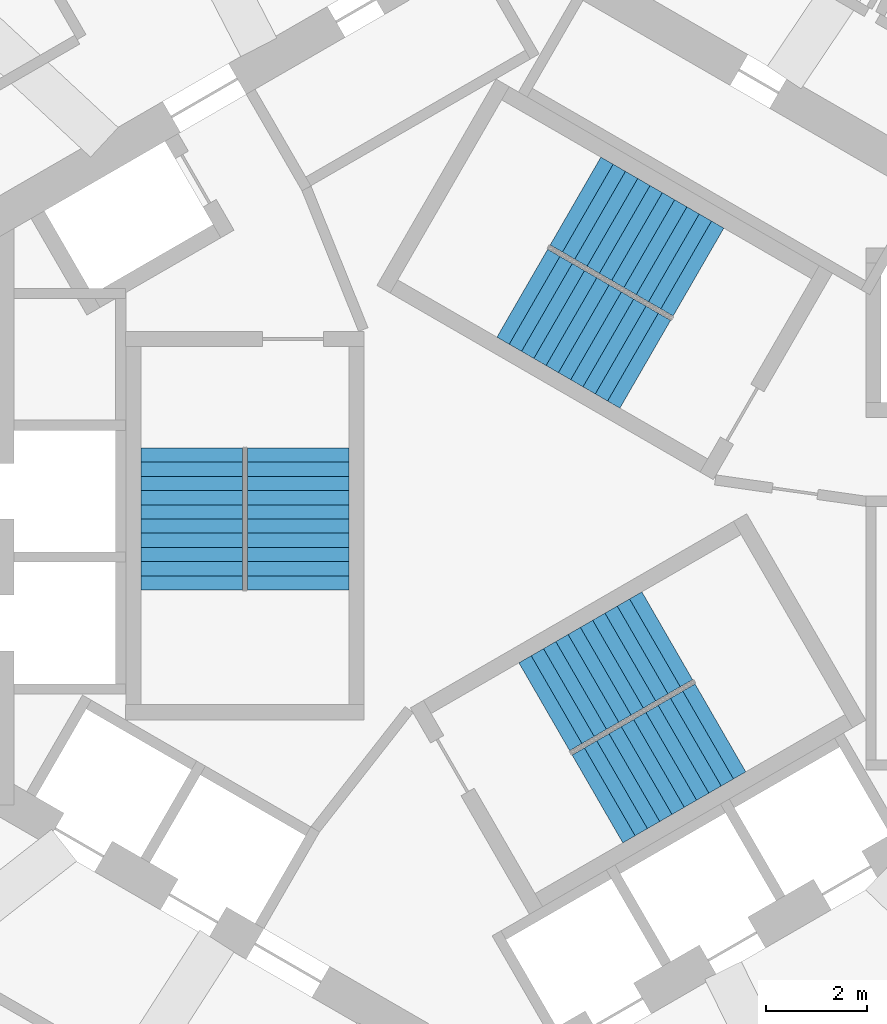
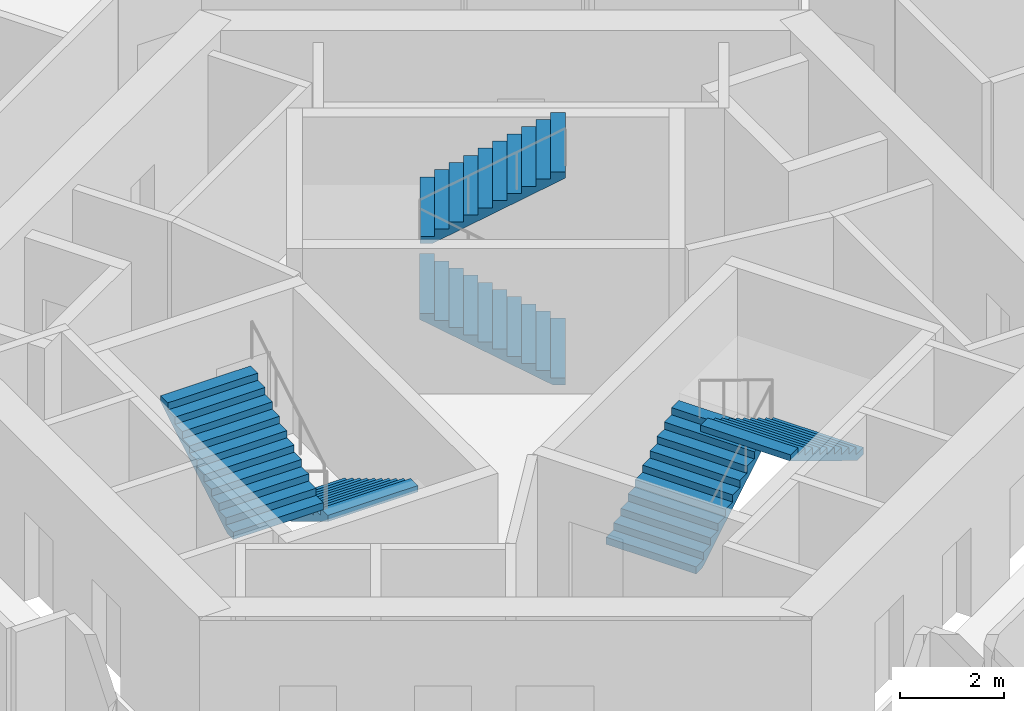
# One storey, part 9 of 11: 6 stair flights, 3 elements without a shape of their own.
"""IFC4 building model written with IfcOpenShell, lengths in metres."""

from ifc_helpers import new_model, si_unit, direction, frame, origin, place, context, subcontext, project, spatial, triangles, source, transform, mapped, material, type_object, element, aggregate, save


model = new_model("IFC4")

# Units and contexts
model_context = context("Model", 3, precision=1e-05, world=origin(), true_north=direction((0.0, 1.0)))
body_context = subcontext(model_context, "Body", "Model", "MODEL_VIEW")
ifc_project = project(units=[si_unit("LENGTHUNIT", "METRE"), si_unit("AREAUNIT", "SQUARE_METRE"), si_unit("VOLUMEUNIT", "CUBIC_METRE"), si_unit("PLANEANGLEUNIT", "RADIAN"), si_unit("MASSUNIT", "GRAM", prefix="KILO")], contexts=[model_context])

# Site, building, storey
site_placement = place(None, origin())
site = spatial("IfcSite", under=ifc_project, at=site_placement, CompositionType="ELEMENT")
building_placement = place(site_placement, origin())
building = spatial("IfcBuilding", under=site, at=building_placement, Name="Vanh Sen Convention Tower", CompositionType="ELEMENT")
storey_placement = place(building_placement, frame((0.0, 0.0, 293.10009765625)))
storey = spatial("IfcBuildingStorey", under=building, at=storey_placement, Name="L72", CompositionType="ELEMENT", Elevation=293.10009765625)

# Stair, stair flights
ifc_material_1 = material(Name="Concrete C50/60", Category="concrete")
stair_type_1 = type_object("IfcStairType", Name="Exit stair ST1 22 risers at 168.2", PredefinedType="HALF_TURN_STAIR", material=ifc_material_1)
stair_1_placement = place(storey_placement, origin())
stair_1 = element("IfcStair", 1, at=stair_1_placement, inside=storey, type_object=stair_type_1, Name="Exit stair ST1 L72", PredefinedType="HALF_TURN_STAIR")
ifc_material_2 = material(Name="Concrete C40/50", Category="concrete")
stair_flight_type = type_object("IfcStairFlightType", Name="Stair flight 2000", PredefinedType="STRAIGHT", material=ifc_material_2)
shared_shape = source(origin(), body_context, "Body", "Tessellation", [
    triangles([(0.24267578125, 1.0, 0.0), (0.0, 1.0, 0.0), (0.0, 1.0, 0.168212890625), (0.280029296875, 1.0, 0.168212890625), (0.280029296875, 1.0, 0.33642578125), (0.56005859375, 1.0, 0.33642578125), (0.56005859375, 1.0, 0.504638671875), (0.840087890625, 1.0, 0.504638671875), (0.840087890625, 1.0, 0.672607421875), (1.1201171875, 1.0, 0.672607421875), (1.1201171875, 1.0, 0.8408203125), (1.39990234375, 1.0, 0.8408203125), (1.39990234375, 1.0, 1.009033203125), (1.679931640625, 1.0, 1.009033203125), (1.679931640625, 1.0, 1.17724609375), (1.9599609375, 1.0, 1.17724609375), (1.9599609375, 1.0, 1.345458984375), (2.239990234375, 1.0, 1.345458984375), (2.239990234375, 1.0, 1.513671875), (2.52001953125, 1.0, 1.513671875), (2.52001953125, 1.0, 1.681884765625), (2.800048828125, 1.0, 1.681884765625), (2.800048828125, 1.0, 1.535888671875), (0.24267578125, -1.0, 0.0), (0.0, -1.0, 0.0), (0.0, -1.0, 0.168212890625), (0.280029296875, -1.0, 0.168212890625), (0.280029296875, -1.0, 0.33642578125), (0.56005859375, -1.0, 0.33642578125), (0.56005859375, -1.0, 0.504638671875), (0.840087890625, -1.0, 0.504638671875), (0.840087890625, -1.0, 0.672607421875), (1.1201171875, -1.0, 0.672607421875), (1.1201171875, -1.0, 0.8408203125), (1.39990234375, -1.0, 0.8408203125), (1.39990234375, -1.0, 1.009033203125), (1.679931640625, -1.0, 1.009033203125), (1.679931640625, -1.0, 1.17724609375), (1.9599609375, -1.0, 1.17724609375), (1.9599609375, -1.0, 1.345458984375), (2.239990234375, -1.0, 1.345458984375), (2.239990234375, -1.0, 1.513671875), (2.52001953125, -1.0, 1.513671875), (2.52001953125, -1.0, 1.681884765625), (2.800048828125, -1.0, 1.681884765625), (2.800048828125, -1.0, 1.535888671875), (0.0, 0.0400390625, 0.0), (0.0, 0.0390625, 0.0), (0.0, 0.0380859375, 0.0), (0.0, 0.037109375, 0.0), (0.0, 0.035888671875, 0.0), (0.0, 0.034912109375, 0.0), (0.0, 0.033935546875, 0.0), (0.0, 0.032958984375, 0.0), (0.0, 0.031982421875, 0.0), (0.0, 0.031005859375, 0.0), (0.0, 0.030029296875, 0.0), (0.0, 0.029052734375, 0.0), (0.0, 0.028076171875, 0.0), (0.0, 0.027099609375, 0.0), (0.0, 0.02587890625, 0.0), (0.0, 0.02490234375, 0.0), (0.0, 0.02392578125, 0.0), (0.0, 0.02294921875, 0.0), (0.0, 0.02197265625, 0.0), (0.0, 0.02099609375, 0.0), (0.0, 0.02001953125, 0.0), (0.0, 0.01904296875, 0.0), (0.0, 0.01806640625, 0.0), (0.0, 0.01708984375, 0.0), (0.0, 0.01611328125, 0.0), (0.0, 0.014892578125, 0.0), (0.0, 0.013916015625, 0.0), (0.0, 0.012939453125, 0.0), (0.0, 0.011962890625, 0.0), (0.0, 0.010986328125, 0.0), (0.0, 0.010009765625, 0.0), (0.0, 0.009033203125, 0.0), (0.0, 0.008056640625, 0.0), (0.0, 0.007080078125, 0.0), (0.0, 0.006103515625, 0.0), (0.0, 0.0048828125, 0.0), (0.0, 0.00390625, 0.0), (0.0, 0.0029296875, 0.0), (0.0, 0.001953125, 0.0), (0.0, 0.0009765625, 0.0), (0.0, 0.0, 0.0), (0.0, -0.0009765625, 0.0), (0.0, -0.001953125, 0.0), (0.0, -0.0029296875, 0.0), (0.0, -0.00390625, 0.0), (0.0, -0.0048828125, 0.0), (0.0, -0.006103515625, 0.0), (0.0, -0.007080078125, 0.0), (0.0, -0.008056640625, 0.0), (0.0, -0.009033203125, 0.0), (0.0, -0.010009765625, 0.0), (0.0, -0.010986328125, 0.0), (0.0, -0.011962890625, 0.0), (0.0, -0.012939453125, 0.0), (0.0, -0.013916015625, 0.0), (0.0, -0.014892578125, 0.0), (0.0, -0.01611328125, 0.0), (0.0, -0.01708984375, 0.0), (0.0, -0.01806640625, 0.0), (0.0, -0.01904296875, 0.0), (0.0, -0.02001953125, 0.0), (0.0, -0.02099609375, 0.0), (0.0, -0.02197265625, 0.0), (0.0, -0.02294921875, 0.0), (0.0, -0.02392578125, 0.0), (0.0, -0.02490234375, 0.0), (0.0, -0.02587890625, 0.0), (0.0, -0.027099609375, 0.0), (0.0, -0.028076171875, 0.0), (0.0, -0.029052734375, 0.0), (0.0, -0.030029296875, 0.0), (0.0, -0.031005859375, 0.0), (0.0, -0.031982421875, 0.0), (0.0, -0.032958984375, 0.0), (0.0, -0.033935546875, 0.0), (0.0, -0.034912109375, 0.0), (0.0, -0.035888671875, 0.0), (0.0, -0.037109375, 0.0), (0.0, -0.0380859375, 0.0), (0.0, -0.0390625, 0.0), (0.0, -0.0400390625, 0.0), (0.0, 0.0400390625, 0.168212890625), (0.0, 0.0390625, 0.168212890625), (0.0, 0.0380859375, 0.168212890625), (0.0, 0.037109375, 0.168212890625), (0.0, 0.035888671875, 0.168212890625), (0.0, 0.034912109375, 0.168212890625), (0.0, 0.033935546875, 0.168212890625), (0.0, 0.032958984375, 0.168212890625), (0.0, 0.031982421875, 0.168212890625), (0.0, 0.031005859375, 0.168212890625), (0.0, 0.030029296875, 0.168212890625), (0.0, 0.029052734375, 0.168212890625), (0.0, 0.028076171875, 0.168212890625), (0.0, 0.027099609375, 0.168212890625), (0.0, 0.02587890625, 0.168212890625), (0.0, 0.02490234375, 0.168212890625), (0.0, 0.02392578125, 0.168212890625), (0.0, 0.02294921875, 0.168212890625), (0.0, 0.02197265625, 0.168212890625), (0.0, 0.02099609375, 0.168212890625), (0.0, 0.02001953125, 0.168212890625), (0.0, 0.01904296875, 0.168212890625), (0.0, 0.01806640625, 0.168212890625), (0.0, 0.01708984375, 0.168212890625), (0.0, 0.01611328125, 0.168212890625), (0.0, 0.014892578125, 0.168212890625), (0.0, 0.013916015625, 0.168212890625), (0.0, 0.012939453125, 0.168212890625), (0.0, 0.011962890625, 0.168212890625), (0.0, 0.010986328125, 0.168212890625), (0.0, 0.010009765625, 0.168212890625), (0.0, 0.009033203125, 0.168212890625), (0.0, 0.008056640625, 0.168212890625), (0.0, 0.007080078125, 0.168212890625), (0.0, 0.006103515625, 0.168212890625), (0.0, 0.0048828125, 0.168212890625), (0.0, 0.00390625, 0.168212890625), (0.0, 0.0029296875, 0.168212890625), (0.0, 0.001953125, 0.168212890625), (0.0, 0.0009765625, 0.168212890625), (0.0, 0.0, 0.168212890625), (0.0, -0.0009765625, 0.168212890625), (0.0, -0.001953125, 0.168212890625), (0.0, -0.0029296875, 0.168212890625), (0.0, -0.00390625, 0.168212890625), (0.0, -0.0048828125, 0.168212890625), (0.0, -0.006103515625, 0.168212890625), (0.0, -0.007080078125, 0.168212890625), (0.0, -0.008056640625, 0.168212890625), (0.0, -0.009033203125, 0.168212890625), (0.0, -0.010009765625, 0.168212890625), (0.0, -0.010986328125, 0.168212890625), (0.0, -0.011962890625, 0.168212890625), (0.0, -0.012939453125, 0.168212890625), (0.0, -0.013916015625, 0.168212890625), (0.0, -0.014892578125, 0.168212890625), (0.0, -0.01611328125, 0.168212890625), (0.0, -0.01708984375, 0.168212890625), (0.0, -0.01806640625, 0.168212890625), (0.0, -0.01904296875, 0.168212890625), (0.0, -0.02001953125, 0.168212890625), (0.0, -0.02099609375, 0.168212890625), (0.0, -0.02197265625, 0.168212890625), (0.0, -0.02294921875, 0.168212890625), (0.0, -0.02392578125, 0.168212890625), (0.0, -0.02490234375, 0.168212890625), (0.0, -0.02587890625, 0.168212890625), (0.0, -0.027099609375, 0.168212890625), (0.0, -0.028076171875, 0.168212890625), (0.0, -0.029052734375, 0.168212890625), (0.0, -0.030029296875, 0.168212890625), (0.0, -0.031005859375, 0.168212890625), (0.0, -0.031982421875, 0.168212890625), (0.0, -0.032958984375, 0.168212890625), (0.0, -0.033935546875, 0.168212890625), (0.0, -0.034912109375, 0.168212890625), (0.0, -0.035888671875, 0.168212890625), (0.0, -0.037109375, 0.168212890625), (0.0, -0.0380859375, 0.168212890625), (0.0, -0.0390625, 0.168212890625), (0.0, -0.0400390625, 0.168212890625), (0.280029296875, 0.0, 0.168212890625), (0.280029296875, 0.0, 0.33642578125), (0.56005859375, 0.0, 0.33642578125), (0.56005859375, 0.0, 0.504638671875), (0.840087890625, 0.0, 0.504638671875), (0.840087890625, 0.0, 0.672607421875), (1.1201171875, 0.0, 0.672607421875), (1.1201171875, 0.0, 0.8408203125), (1.39990234375, 0.0, 0.8408203125), (1.39990234375, 0.0, 1.009033203125), (1.679931640625, 0.0, 1.009033203125), (1.679931640625, 0.0, 1.17724609375), (1.9599609375, 0.0, 1.17724609375), (1.9599609375, 0.0, 1.345458984375), (2.239990234375, 0.0, 1.345458984375), (2.239990234375, 0.0, 1.513671875), (2.52001953125, 0.0, 1.513671875), (2.52001953125, 0.0, 1.681884765625), (2.800048828125, 0.0400390625, 1.681884765625), (2.800048828125, 0.0390625, 1.681884765625), (2.800048828125, 0.0380859375, 1.681884765625), (2.800048828125, 0.037109375, 1.681884765625), (2.800048828125, 0.035888671875, 1.681884765625), (2.800048828125, 0.034912109375, 1.681884765625), (2.800048828125, 0.033935546875, 1.681884765625), (2.800048828125, 0.032958984375, 1.681884765625), (2.800048828125, 0.031982421875, 1.681884765625), (2.800048828125, 0.031005859375, 1.681884765625), (2.800048828125, 0.030029296875, 1.681884765625), (2.800048828125, 0.029052734375, 1.681884765625), (2.800048828125, 0.028076171875, 1.681884765625), (2.800048828125, 0.027099609375, 1.681884765625), (2.800048828125, 0.02587890625, 1.681884765625), (2.800048828125, 0.02490234375, 1.681884765625), (2.800048828125, 0.02392578125, 1.681884765625), (2.800048828125, 0.02294921875, 1.681884765625), (2.800048828125, 0.02197265625, 1.681884765625), (2.800048828125, 0.02099609375, 1.681884765625), (2.800048828125, 0.02001953125, 1.681884765625), (2.800048828125, 0.01904296875, 1.681884765625), (2.800048828125, 0.01806640625, 1.681884765625), (2.800048828125, 0.01708984375, 1.681884765625), (2.800048828125, 0.01611328125, 1.681884765625), (2.800048828125, 0.014892578125, 1.681884765625), (2.800048828125, 0.013916015625, 1.681884765625), (2.800048828125, 0.012939453125, 1.681884765625), (2.800048828125, 0.011962890625, 1.681884765625), (2.800048828125, 0.010986328125, 1.681884765625), (2.800048828125, 0.010009765625, 1.681884765625), (2.800048828125, 0.009033203125, 1.681884765625), (2.800048828125, 0.008056640625, 1.681884765625), (2.800048828125, 0.007080078125, 1.681884765625), (2.800048828125, 0.006103515625, 1.681884765625), (2.800048828125, 0.0048828125, 1.681884765625), (2.800048828125, 0.00390625, 1.681884765625), (2.800048828125, 0.0029296875, 1.681884765625), (2.800048828125, 0.001953125, 1.681884765625), (2.800048828125, 0.0009765625, 1.681884765625), (2.800048828125, 0.0, 1.681884765625), (2.800048828125, -0.0009765625, 1.681884765625), (2.800048828125, -0.001953125, 1.681884765625), (2.800048828125, -0.0029296875, 1.681884765625), (2.800048828125, -0.00390625, 1.681884765625), (2.800048828125, -0.0048828125, 1.681884765625), (2.800048828125, -0.006103515625, 1.681884765625), (2.800048828125, -0.007080078125, 1.681884765625), (2.800048828125, -0.008056640625, 1.681884765625), (2.800048828125, -0.009033203125, 1.681884765625), (2.800048828125, -0.010009765625, 1.681884765625), (2.800048828125, -0.010986328125, 1.681884765625), (2.800048828125, -0.011962890625, 1.681884765625), (2.800048828125, -0.012939453125, 1.681884765625), (2.800048828125, -0.013916015625, 1.681884765625), (2.800048828125, -0.014892578125, 1.681884765625), (2.800048828125, -0.01611328125, 1.681884765625), (2.800048828125, -0.01708984375, 1.681884765625), (2.800048828125, -0.01806640625, 1.681884765625), (2.800048828125, -0.01904296875, 1.681884765625), (2.800048828125, -0.02001953125, 1.681884765625), (2.800048828125, -0.02099609375, 1.681884765625), (2.800048828125, -0.02197265625, 1.681884765625), (2.800048828125, -0.02294921875, 1.681884765625), (2.800048828125, -0.02392578125, 1.681884765625), (2.800048828125, -0.02490234375, 1.681884765625), (2.800048828125, -0.02587890625, 1.681884765625), (2.800048828125, -0.027099609375, 1.681884765625), (2.800048828125, -0.028076171875, 1.681884765625), (2.800048828125, -0.029052734375, 1.681884765625), (2.800048828125, -0.030029296875, 1.681884765625), (2.800048828125, -0.031005859375, 1.681884765625), (2.800048828125, -0.031982421875, 1.681884765625), (2.800048828125, -0.032958984375, 1.681884765625), (2.800048828125, -0.033935546875, 1.681884765625), (2.800048828125, -0.034912109375, 1.681884765625), (2.800048828125, -0.035888671875, 1.681884765625), (2.800048828125, -0.037109375, 1.681884765625), (2.800048828125, -0.0380859375, 1.681884765625), (2.800048828125, -0.0390625, 1.681884765625), (2.800048828125, -0.0400390625, 1.681884765625), (2.800048828125, 0.0400390625, 1.535888671875), (2.800048828125, 0.0390625, 1.535888671875), (2.800048828125, 0.0380859375, 1.535888671875), (2.800048828125, 0.037109375, 1.535888671875), (2.800048828125, 0.035888671875, 1.535888671875), (2.800048828125, 0.034912109375, 1.535888671875), (2.800048828125, 0.033935546875, 1.535888671875), (2.800048828125, 0.032958984375, 1.535888671875), (2.800048828125, 0.031982421875, 1.535888671875), (2.800048828125, 0.031005859375, 1.535888671875), (2.800048828125, 0.030029296875, 1.535888671875), (2.800048828125, 0.029052734375, 1.535888671875), (2.800048828125, 0.028076171875, 1.535888671875), (2.800048828125, 0.027099609375, 1.535888671875), (2.800048828125, 0.02587890625, 1.535888671875), (2.800048828125, 0.02490234375, 1.535888671875), (2.800048828125, 0.02392578125, 1.535888671875), (2.800048828125, 0.02294921875, 1.535888671875), (2.800048828125, 0.02197265625, 1.535888671875), (2.800048828125, 0.02099609375, 1.535888671875), (2.800048828125, 0.02001953125, 1.535888671875), (2.800048828125, 0.01904296875, 1.535888671875), (2.800048828125, 0.01806640625, 1.535888671875), (2.800048828125, 0.01708984375, 1.535888671875), (2.800048828125, 0.01611328125, 1.535888671875), (2.800048828125, 0.014892578125, 1.535888671875), (2.800048828125, 0.013916015625, 1.535888671875), (2.800048828125, 0.012939453125, 1.535888671875), (2.800048828125, 0.011962890625, 1.535888671875), (2.800048828125, 0.010986328125, 1.535888671875), (2.800048828125, 0.010009765625, 1.535888671875), (2.800048828125, 0.009033203125, 1.535888671875), (2.800048828125, 0.008056640625, 1.535888671875), (2.800048828125, 0.007080078125, 1.535888671875), (2.800048828125, 0.006103515625, 1.535888671875), (2.800048828125, 0.0048828125, 1.535888671875), (2.800048828125, 0.00390625, 1.535888671875), (2.800048828125, 0.0029296875, 1.535888671875), (2.800048828125, 0.001953125, 1.535888671875), (2.800048828125, 0.0009765625, 1.535888671875), (2.800048828125, 0.0, 1.535888671875), (2.800048828125, -0.0009765625, 1.535888671875), (2.800048828125, -0.001953125, 1.535888671875), (2.800048828125, -0.0029296875, 1.535888671875), (2.800048828125, -0.00390625, 1.535888671875), (2.800048828125, -0.0048828125, 1.535888671875), (2.800048828125, -0.006103515625, 1.535888671875), (2.800048828125, -0.007080078125, 1.535888671875), (2.800048828125, -0.008056640625, 1.535888671875), (2.800048828125, -0.009033203125, 1.535888671875), (2.800048828125, -0.010009765625, 1.535888671875), (2.800048828125, -0.010986328125, 1.535888671875), (2.800048828125, -0.011962890625, 1.535888671875), (2.800048828125, -0.012939453125, 1.535888671875), (2.800048828125, -0.013916015625, 1.535888671875), (2.800048828125, -0.014892578125, 1.535888671875), (2.800048828125, -0.01611328125, 1.535888671875), (2.800048828125, -0.01708984375, 1.535888671875), (2.800048828125, -0.01806640625, 1.535888671875), (2.800048828125, -0.01904296875, 1.535888671875), (2.800048828125, -0.02001953125, 1.535888671875), (2.800048828125, -0.02099609375, 1.535888671875), (2.800048828125, -0.02197265625, 1.535888671875), (2.800048828125, -0.02294921875, 1.535888671875), (2.800048828125, -0.02392578125, 1.535888671875), (2.800048828125, -0.02490234375, 1.535888671875), (2.800048828125, -0.02587890625, 1.535888671875), (2.800048828125, -0.027099609375, 1.535888671875), (2.800048828125, -0.028076171875, 1.535888671875), (2.800048828125, -0.029052734375, 1.535888671875), (2.800048828125, -0.030029296875, 1.535888671875), (2.800048828125, -0.031005859375, 1.535888671875), (2.800048828125, -0.031982421875, 1.535888671875), (2.800048828125, -0.032958984375, 1.535888671875), (2.800048828125, -0.033935546875, 1.535888671875), (2.800048828125, -0.034912109375, 1.535888671875), (2.800048828125, -0.035888671875, 1.535888671875), (2.800048828125, -0.037109375, 1.535888671875), (2.800048828125, -0.0380859375, 1.535888671875), (2.800048828125, -0.0390625, 1.535888671875), (2.800048828125, -0.0400390625, 1.535888671875), (0.24267578125, 0.0, 0.0)], [[1, 2, 3], [1, 3, 4], [4, 5, 6], [1, 4, 6], [6, 7, 8], [1, 6, 8], [8, 9, 10], [1, 8, 10], [10, 11, 12], [1, 10, 12], [12, 13, 14], [1, 12, 14], [14, 15, 16], [1, 14, 16], [16, 17, 18], [1, 16, 18], [18, 19, 20], [1, 18, 20], [20, 21, 22], [1, 20, 22], [22, 23, 1], [24, 26, 25], [24, 27, 26], [27, 29, 28], [24, 29, 27], [29, 31, 30], [24, 31, 29], [31, 33, 32], [24, 33, 31], [33, 35, 34], [24, 35, 33], [35, 37, 36], [24, 37, 35], [37, 39, 38], [24, 39, 37], [39, 41, 40], [24, 41, 39], [41, 43, 42], [24, 43, 41], [43, 45, 44], [24, 45, 43], [45, 24, 46], [2, 128, 3], [2, 47, 128], [47, 129, 128], [47, 48, 129], [48, 130, 129], [48, 49, 130], [49, 131, 130], [49, 50, 131], [50, 132, 131], [50, 51, 132], [51, 133, 132], [51, 52, 133], [52, 134, 133], [52, 53, 134], [53, 135, 134], [53, 54, 135], [54, 136, 135], [54, 55, 136], [55, 137, 136], [55, 56, 137], [56, 138, 137], [56, 57, 138], [57, 139, 138], [57, 58, 139], [58, 140, 139], [58, 59, 140], [59, 141, 140], [59, 60, 141], [60, 142, 141], [60, 61, 142], [61, 143, 142], [61, 62, 143], [62, 144, 143], [62, 63, 144], [63, 145, 144], [63, 64, 145], [64, 146, 145], [64, 65, 146], [65, 147, 146], [65, 66, 147], [66, 148, 147], [66, 67, 148], [67, 149, 148], [67, 68, 149], [68, 150, 149], [68, 69, 150], [69, 151, 150], [69, 70, 151], [70, 152, 151], [70, 71, 152], [71, 153, 152], [71, 72, 153], [72, 154, 153], [72, 73, 154], [73, 155, 154], [73, 74, 155], [74, 156, 155], [74, 75, 156], [75, 157, 156], [75, 76, 157], [76, 158, 157], [76, 77, 158], [77, 159, 158], [77, 78, 159], [78, 160, 159], [78, 79, 160], [79, 161, 160], [79, 80, 161], [80, 162, 161], [80, 81, 162], [81, 163, 162], [81, 82, 163], [82, 164, 163], [82, 83, 164], [83, 165, 164], [83, 84, 165], [84, 166, 165], [84, 85, 166], [85, 167, 166], [85, 86, 167], [86, 168, 167], [86, 87, 168], [87, 88, 168], [168, 88, 169], [88, 89, 169], [169, 89, 170], [89, 90, 170], [170, 90, 171], [90, 91, 171], [171, 91, 172], [91, 92, 172], [172, 92, 173], [92, 93, 173], [173, 93, 174], [93, 94, 174], [174, 94, 175], [94, 95, 175], [175, 95, 176], [95, 96, 176], [176, 96, 177], [96, 97, 177], [177, 97, 178], [97, 98, 178], [178, 98, 179], [98, 99, 179], [179, 99, 180], [99, 100, 180], [180, 100, 181], [100, 101, 181], [181, 101, 182], [101, 102, 182], [182, 102, 183], [102, 103, 183], [183, 103, 184], [103, 104, 184], [184, 104, 185], [104, 105, 185], [185, 105, 186], [105, 106, 186], [186, 106, 187], [106, 107, 187], [187, 107, 188], [107, 108, 188], [188, 108, 189], [108, 109, 189], [189, 109, 190], [109, 110, 190], [190, 110, 191], [110, 111, 191], [191, 111, 192], [111, 112, 192], [192, 112, 193], [112, 113, 193], [193, 113, 194], [113, 114, 194], [194, 114, 195], [114, 115, 195], [195, 115, 196], [115, 116, 196], [196, 116, 197], [116, 117, 197], [197, 117, 198], [117, 118, 198], [198, 118, 199], [118, 119, 199], [199, 119, 200], [119, 120, 200], [200, 120, 201], [120, 121, 201], [201, 121, 202], [121, 122, 202], [202, 122, 203], [122, 123, 203], [203, 123, 204], [123, 124, 204], [204, 124, 205], [124, 125, 205], [205, 125, 206], [125, 126, 206], [206, 126, 207], [126, 127, 207], [207, 127, 208], [127, 25, 208], [208, 25, 26], [4, 3, 128], [4, 128, 129], [4, 129, 130], [4, 130, 131], [4, 131, 132], [4, 132, 133], [4, 133, 134], [4, 134, 135], [4, 135, 136], [4, 136, 137], [4, 137, 138], [4, 138, 139], [4, 139, 140], [4, 140, 141], [4, 141, 142], [4, 142, 143], [4, 143, 144], [4, 144, 145], [4, 145, 146], [4, 146, 147], [4, 147, 148], [4, 148, 149], [4, 149, 150], [4, 150, 151], [4, 151, 152], [4, 152, 153], [4, 153, 154], [4, 154, 155], [4, 155, 156], [4, 156, 157], [4, 157, 158], [4, 158, 159], [4, 159, 160], [4, 160, 161], [4, 161, 162], [4, 162, 163], [4, 163, 164], [4, 164, 165], [4, 165, 166], [4, 166, 167], [4, 167, 168], [27, 168, 169], [27, 169, 170], [27, 170, 171], [27, 171, 172], [27, 172, 173], [27, 173, 174], [27, 174, 175], [27, 175, 176], [27, 176, 177], [27, 177, 178], [27, 178, 179], [27, 179, 180], [27, 180, 181], [27, 181, 182], [27, 182, 183], [27, 183, 184], [27, 184, 185], [27, 185, 186], [27, 186, 187], [27, 187, 188], [27, 188, 189], [27, 189, 190], [27, 190, 191], [27, 191, 192], [27, 192, 193], [27, 193, 194], [27, 194, 195], [27, 195, 196], [27, 196, 197], [27, 197, 198], [27, 198, 199], [27, 199, 200], [27, 200, 201], [27, 201, 202], [27, 202, 203], [27, 203, 204], [27, 204, 205], [27, 205, 206], [27, 206, 207], [27, 207, 208], [27, 208, 26], [4, 168, 209], [27, 209, 168], [4, 210, 5], [4, 209, 210], [209, 27, 210], [210, 27, 28], [5, 211, 6], [5, 210, 211], [210, 28, 211], [211, 28, 29], [6, 212, 7], [6, 211, 212], [211, 29, 212], [212, 29, 30], [7, 213, 8], [7, 212, 213], [212, 30, 213], [213, 30, 31], [8, 214, 9], [8, 213, 214], [213, 31, 214], [214, 31, 32], [9, 215, 10], [9, 214, 215], [214, 32, 215], [215, 32, 33], [10, 216, 11], [10, 215, 216], [215, 33, 216], [216, 33, 34], [11, 217, 12], [11, 216, 217], [216, 34, 217], [217, 34, 35], [12, 218, 13], [12, 217, 218], [217, 35, 218], [218, 35, 36], [13, 219, 14], [13, 218, 219], [218, 36, 219], [219, 36, 37], [14, 220, 15], [14, 219, 220], [219, 37, 220], [220, 37, 38], [15, 221, 16], [15, 220, 221], [220, 38, 221], [221, 38, 39], [16, 222, 17], [16, 221, 222], [221, 39, 222], [222, 39, 40], [17, 223, 18], [17, 222, 223], [222, 40, 223], [223, 40, 41], [18, 224, 19], [18, 223, 224], [223, 41, 224], [224, 41, 42], [19, 225, 20], [19, 224, 225], [224, 42, 225], [225, 42, 43], [20, 226, 21], [20, 225, 226], [225, 43, 226], [226, 43, 44], [21, 227, 22], [21, 228, 227], [21, 229, 228], [21, 230, 229], [21, 231, 230], [21, 232, 231], [21, 233, 232], [21, 234, 233], [21, 235, 234], [21, 236, 235], [21, 237, 236], [21, 238, 237], [21, 239, 238], [21, 240, 239], [21, 241, 240], [21, 242, 241], [21, 243, 242], [21, 244, 243], [21, 245, 244], [21, 246, 245], [21, 247, 246], [21, 248, 247], [21, 249, 248], [21, 250, 249], [21, 251, 250], [21, 252, 251], [21, 253, 252], [21, 254, 253], [21, 255, 254], [21, 256, 255], [21, 257, 256], [21, 258, 257], [21, 259, 258], [21, 260, 259], [21, 261, 260], [21, 262, 261], [21, 263, 262], [21, 264, 263], [21, 265, 264], [21, 266, 265], [21, 267, 266], [44, 268, 267], [44, 269, 268], [44, 270, 269], [44, 271, 270], [44, 272, 271], [44, 273, 272], [44, 274, 273], [44, 275, 274], [44, 276, 275], [44, 277, 276], [44, 278, 277], [44, 279, 278], [44, 280, 279], [44, 281, 280], [44, 282, 281], [44, 283, 282], [44, 284, 283], [44, 285, 284], [44, 286, 285], [44, 287, 286], [44, 288, 287], [44, 289, 288], [44, 290, 289], [44, 291, 290], [44, 292, 291], [44, 293, 292], [44, 294, 293], [44, 295, 294], [44, 296, 295], [44, 297, 296], [44, 298, 297], [44, 299, 298], [44, 300, 299], [44, 301, 300], [44, 302, 301], [44, 303, 302], [44, 304, 303], [44, 305, 304], [44, 306, 305], [44, 307, 306], [44, 45, 307], [21, 226, 267], [44, 267, 226], [22, 308, 23], [22, 227, 308], [227, 309, 308], [227, 228, 309], [228, 310, 309], [228, 229, 310], [229, 311, 310], [229, 230, 311], [230, 312, 311], [230, 231, 312], [231, 313, 312], [231, 232, 313], [232, 314, 313], [232, 233, 314], [233, 315, 314], [233, 234, 315], [234, 316, 315], [234, 235, 316], [235, 317, 316], [235, 236, 317], [236, 318, 317], [236, 237, 318], [237, 319, 318], [237, 238, 319], [238, 320, 319], [238, 239, 320], [239, 321, 320], [239, 240, 321], [240, 322, 321], [240, 241, 322], [241, 323, 322], [241, 242, 323], [242, 324, 323], [242, 243, 324], [243, 325, 324], [243, 244, 325], [244, 326, 325], [244, 245, 326], [245, 327, 326], [245, 246, 327], [246, 328, 327], [246, 247, 328], [247, 329, 328], [247, 248, 329], [248, 330, 329], [248, 249, 330], [249, 331, 330], [249, 250, 331], [250, 332, 331], [250, 251, 332], [251, 333, 332], [251, 252, 333], [252, 334, 333], [252, 253, 334], [253, 335, 334], [253, 254, 335], [254, 336, 335], [254, 255, 336], [255, 337, 336], [255, 256, 337], [256, 338, 337], [256, 257, 338], [257, 339, 338], [257, 258, 339], [258, 340, 339], [258, 259, 340], [259, 341, 340], [259, 260, 341], [260, 342, 341], [260, 261, 342], [261, 343, 342], [261, 262, 343], [262, 344, 343], [262, 263, 344], [263, 345, 344], [263, 264, 345], [264, 346, 345], [264, 265, 346], [265, 347, 346], [265, 266, 347], [266, 348, 347], [266, 267, 348], [267, 268, 348], [348, 268, 349], [268, 269, 349], [349, 269, 350], [269, 270, 350], [350, 270, 351], [270, 271, 351], [351, 271, 352], [271, 272, 352], [352, 272, 353], [272, 273, 353], [353, 273, 354], [273, 274, 354], [354, 274, 355], [274, 275, 355], [355, 275, 356], [275, 276, 356], [356, 276, 357], [276, 277, 357], [357, 277, 358], [277, 278, 358], [358, 278, 359], [278, 279, 359], [359, 279, 360], [279, 280, 360], [360, 280, 361], [280, 281, 361], [361, 281, 362], [281, 282, 362], [362, 282, 363], [282, 283, 363], [363, 283, 364], [283, 284, 364], [364, 284, 365], [284, 285, 365], [365, 285, 366], [285, 286, 366], [366, 286, 367], [286, 287, 367], [367, 287, 368], [287, 288, 368], [368, 288, 369], [288, 289, 369], [369, 289, 370], [289, 290, 370], [370, 290, 371], [290, 291, 371], [371, 291, 372], [291, 292, 372], [372, 292, 373], [292, 293, 373], [373, 293, 374], [293, 294, 374], [374, 294, 375], [294, 295, 375], [375, 295, 376], [295, 296, 376], [376, 296, 377], [296, 297, 377], [377, 297, 378], [297, 298, 378], [378, 298, 379], [298, 299, 379], [379, 299, 380], [299, 300, 380], [380, 300, 381], [300, 301, 381], [381, 301, 382], [301, 302, 382], [382, 302, 383], [302, 303, 383], [383, 303, 384], [303, 304, 384], [384, 304, 385], [304, 305, 385], [385, 305, 386], [305, 306, 386], [386, 306, 387], [306, 307, 387], [387, 307, 388], [307, 45, 388], [388, 45, 46], [1, 23, 308], [1, 308, 309], [1, 309, 310], [1, 310, 311], [1, 311, 312], [1, 312, 313], [1, 313, 314], [1, 314, 315], [1, 315, 316], [1, 316, 317], [1, 317, 318], [1, 318, 319], [1, 319, 320], [1, 320, 321], [1, 321, 322], [1, 322, 323], [1, 323, 324], [1, 324, 325], [1, 325, 326], [1, 326, 327], [1, 327, 328], [1, 328, 329], [1, 329, 330], [1, 330, 331], [1, 331, 332], [1, 332, 333], [1, 333, 334], [1, 334, 335], [1, 335, 336], [1, 336, 337], [1, 337, 338], [1, 338, 339], [1, 339, 340], [1, 340, 341], [1, 341, 342], [1, 342, 343], [1, 343, 344], [1, 344, 345], [1, 345, 346], [1, 346, 347], [1, 347, 348], [24, 348, 349], [24, 349, 350], [24, 350, 351], [24, 351, 352], [24, 352, 353], [24, 353, 354], [24, 354, 355], [24, 355, 356], [24, 356, 357], [24, 357, 358], [24, 358, 359], [24, 359, 360], [24, 360, 361], [24, 361, 362], [24, 362, 363], [24, 363, 364], [24, 364, 365], [24, 365, 366], [24, 366, 367], [24, 367, 368], [24, 368, 369], [24, 369, 370], [24, 370, 371], [24, 371, 372], [24, 372, 373], [24, 373, 374], [24, 374, 375], [24, 375, 376], [24, 376, 377], [24, 377, 378], [24, 378, 379], [24, 379, 380], [24, 380, 381], [24, 381, 382], [24, 382, 383], [24, 383, 384], [24, 384, 385], [24, 385, 386], [24, 386, 387], [24, 387, 388], [24, 388, 46], [1, 348, 389], [24, 389, 348], [1, 47, 2], [1, 48, 47], [1, 49, 48], [1, 50, 49], [1, 51, 50], [1, 52, 51], [1, 53, 52], [1, 54, 53], [1, 55, 54], [1, 56, 55], [1, 57, 56], [1, 58, 57], [1, 59, 58], [1, 60, 59], [1, 61, 60], [1, 62, 61], [1, 63, 62], [1, 64, 63], [1, 65, 64], [1, 66, 65], [1, 67, 66], [1, 68, 67], [1, 69, 68], [1, 70, 69], [1, 71, 70], [1, 72, 71], [1, 73, 72], [1, 74, 73], [1, 75, 74], [1, 76, 75], [1, 77, 76], [1, 78, 77], [1, 79, 78], [1, 80, 79], [1, 81, 80], [1, 82, 81], [1, 83, 82], [1, 84, 83], [1, 85, 84], [1, 86, 85], [1, 87, 86], [24, 88, 87], [24, 89, 88], [24, 90, 89], [24, 91, 90], [24, 92, 91], [24, 93, 92], [24, 94, 93], [24, 95, 94], [24, 96, 95], [24, 97, 96], [24, 98, 97], [24, 99, 98], [24, 100, 99], [24, 101, 100], [24, 102, 101], [24, 103, 102], [24, 104, 103], [24, 105, 104], [24, 106, 105], [24, 107, 106], [24, 108, 107], [24, 109, 108], [24, 110, 109], [24, 111, 110], [24, 112, 111], [24, 113, 112], [24, 114, 113], [24, 115, 114], [24, 116, 115], [24, 117, 116], [24, 118, 117], [24, 119, 118], [24, 120, 119], [24, 121, 120], [24, 122, 121], [24, 123, 122], [24, 124, 123], [24, 125, 124], [24, 126, 125], [24, 127, 126], [24, 25, 127], [1, 389, 87], [24, 87, 389]], closed=True),
])
stair_flight_1_placement = place(storey_placement, frame((2.94580078125, 2.802490234375, 0.0), z_axis=(0.0, 0.0, 1.0), x_axis=(-0.866025403784, 0.5, 0.0)))
stair_flight_1 = element("IfcStairFlight", 2, at=stair_flight_1_placement, type_object=stair_flight_type, Name="ST1 flight 1", NumberOfRisers=11, NumberOfTreads=10, PredefinedType="STRAIGHT", RiserHeight=0.168181818, TreadLength=0.28, context=body_context, shape_type="MappedRepresentation", body=[
    mapped(shared_shape, transform((0.0, 0.0, 0.0))),
])
stair_flight_2_placement = place(storey_placement, frame((1.571044921875, 6.021240234375, 1.849853515625), z_axis=(0.0, 0.0, 1.0), x_axis=(0.866025403784, -0.5, 0.0)))
stair_flight_2 = element("IfcStairFlight", 3, at=stair_flight_2_placement, type_object=stair_flight_type, Name="ST1 flight 2", NumberOfRisers=11, NumberOfTreads=10, PredefinedType="STRAIGHT", RiserHeight=0.168181818, TreadLength=0.28, context=body_context, shape_type="MappedRepresentation", body=[
    mapped(shared_shape, transform((0.0, 0.0, 0.0))),
])
aggregate(stair_1, [stair_flight_1, stair_flight_2])

stair_type_2 = type_object("IfcStairType", Name="Exit stair ST2 22 risers at 168.2", PredefinedType="HALF_TURN_STAIR", material=ifc_material_1)
stair_2_placement = place(storey_placement, origin())
stair_2 = element("IfcStair", 4, at=stair_2_placement, inside=storey, type_object=stair_type_2, Name="Exit stair ST2 L72", PredefinedType="HALF_TURN_STAIR")
stair_flight_3_placement = place(storey_placement, frame((-3.89990234375, 1.14990234375, 0.0), z_axis=(0.0, 0.0, 1.0), x_axis=(0.0, -1.0, 0.0)))
stair_flight_3 = element("IfcStairFlight", 5, at=stair_flight_3_placement, type_object=stair_flight_type, Name="ST2 flight 1", NumberOfRisers=11, NumberOfTreads=10, PredefinedType="STRAIGHT", RiserHeight=0.168181818, TreadLength=0.28, context=body_context, shape_type="MappedRepresentation", body=[
    mapped(shared_shape, transform((0.0, 0.0, 0.0))),
])
stair_flight_4_placement = place(storey_placement, frame((-6.0, -1.64990234375, 1.849853515625), z_axis=(0.0, 0.0, 1.0), x_axis=(0.0, 1.0, 0.0)))
stair_flight_4 = element("IfcStairFlight", 6, at=stair_flight_4_placement, type_object=stair_flight_type, Name="ST2 flight 2", NumberOfRisers=11, NumberOfTreads=10, PredefinedType="STRAIGHT", RiserHeight=0.168181818, TreadLength=0.28, context=body_context, shape_type="MappedRepresentation", body=[
    mapped(shared_shape, transform((0.0, 0.0, 0.0))),
])
aggregate(stair_2, [stair_flight_3, stair_flight_4])

stair_type_3 = type_object("IfcStairType", Name="Exit stair ST3 22 risers at 168.2", PredefinedType="HALF_TURN_STAIR", material=ifc_material_1)
stair_3_placement = place(storey_placement, origin())
stair_3 = element("IfcStair", 7, at=stair_3_placement, inside=storey, type_object=stair_type_3, Name="Exit stair ST3 L72", PredefinedType="HALF_TURN_STAIR")
stair_flight_5_placement = place(storey_placement, frame((0.9541015625, -3.952392578125, 0.0), z_axis=(0.0, 0.0, 1.0), x_axis=(0.866025403784, 0.5, 0.0)))
stair_flight_5 = element("IfcStairFlight", 8, at=stair_flight_5_placement, type_object=stair_flight_type, Name="ST3 flight 1", NumberOfRisers=11, NumberOfTreads=10, PredefinedType="STRAIGHT", RiserHeight=0.168181818, TreadLength=0.28, context=body_context, shape_type="MappedRepresentation", body=[
    mapped(shared_shape, transform((0.0, 0.0, 0.0))),
])
stair_flight_6_placement = place(storey_placement, frame((4.428955078125, -4.37109375, 1.849853515625), z_axis=(0.0, 0.0, 1.0), x_axis=(-0.866025403784, -0.5, 0.0)))
stair_flight_6 = element("IfcStairFlight", 9, at=stair_flight_6_placement, type_object=stair_flight_type, Name="ST3 flight 2", NumberOfRisers=11, NumberOfTreads=10, PredefinedType="STRAIGHT", RiserHeight=0.168181818, TreadLength=0.28, context=body_context, shape_type="MappedRepresentation", body=[
    mapped(shared_shape, transform((0.0, 0.0, 0.0))),
])
aggregate(stair_3, [stair_flight_5, stair_flight_6])

save(model, "model.ifc")
